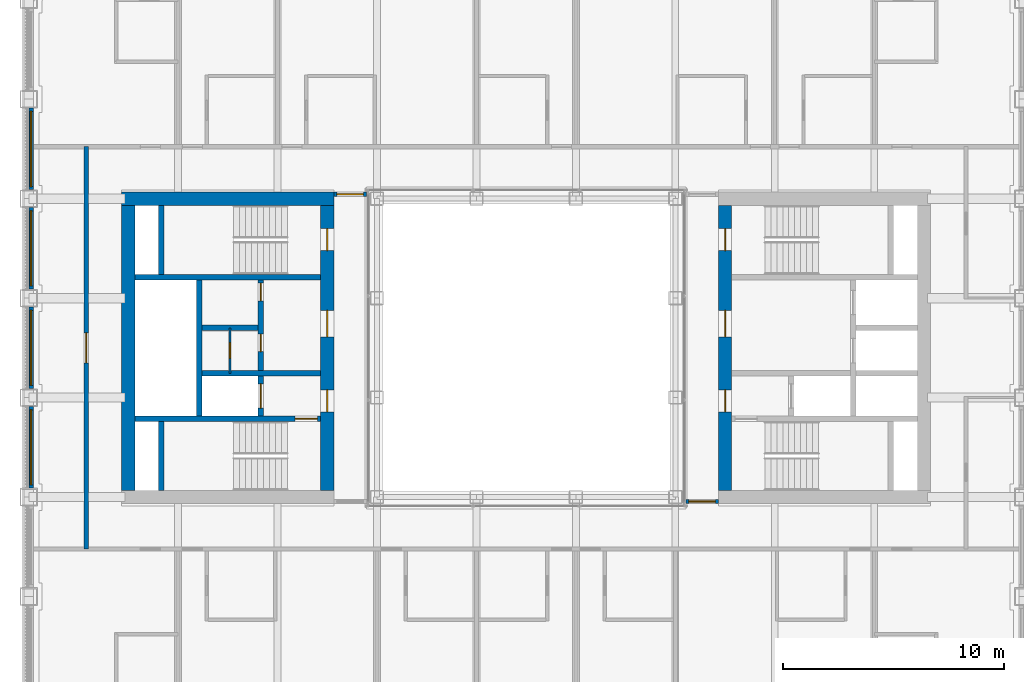
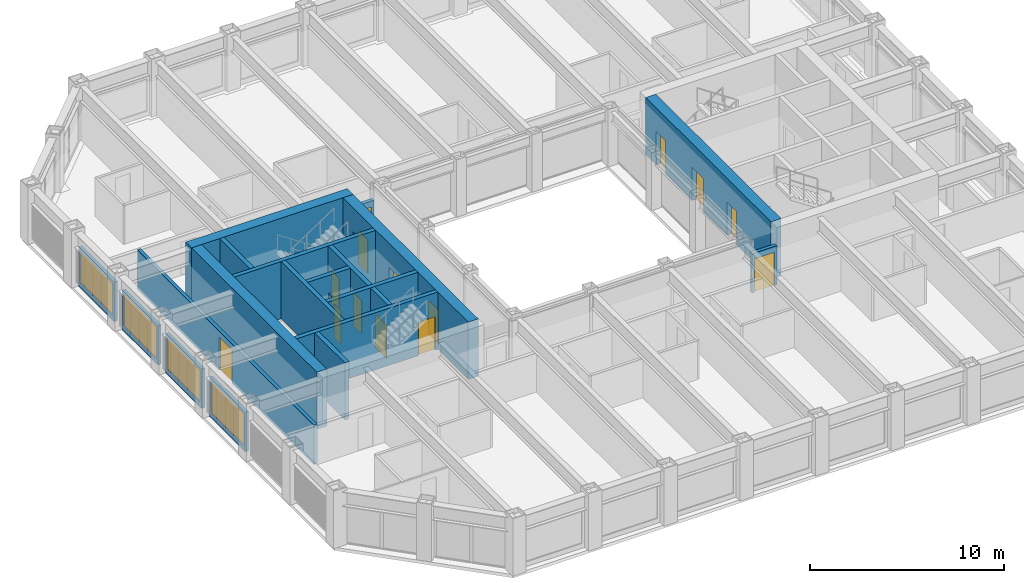
# One storey, part 11 of 17: 20 walls, 14 doors, 4 windows, 18 openings.
"""IFC4 building model written with IfcOpenShell, lengths in metres."""

from ifc_helpers import new_model, si_unit, direction, frame, frame_2d, origin, place, context, subcontext, project, spatial, rectangle, extrude, material, layer, layer_set, type_object, element, fill, save


model = new_model("IFC4")

# Units and contexts
model_context = context("Model", 3, precision=1e-05, world=origin(), true_north=direction((0.0, 1.0)))
body_context = subcontext(model_context, "Body", "Model", "MODEL_VIEW")
ifc_project = project(units=[si_unit("LENGTHUNIT", "METRE"), si_unit("AREAUNIT", "SQUARE_METRE"), si_unit("VOLUMEUNIT", "CUBIC_METRE"), si_unit("PLANEANGLEUNIT", "RADIAN"), si_unit("MASSUNIT", "GRAM", prefix="KILO")], contexts=[model_context])

# Site, building, storey
site_placement = place(None, origin())
site = spatial("IfcSite", under=ifc_project, at=site_placement, CompositionType="ELEMENT")
building_placement = place(site_placement, origin())
building = spatial("IfcBuilding", under=site, at=building_placement, Name="Msasa Ring Tower", CompositionType="ELEMENT")
storey_placement = place(building_placement, frame((0.0, 0.0, 154.39990234375)))
storey = spatial("IfcBuildingStorey", under=building, at=storey_placement, Name="L40", CompositionType="ELEMENT", Elevation=154.39990234375)

# Wall, openings, doors
ifc_material_1 = material(Name="Concrete C60/75", Category="concrete")
ifc_layer_1 = layer(ifc_material_1, 0.60009765625)
ifc_layer_set_1 = layer_set([ifc_layer_1], Name="CW2 CORE WALL 600")
wall_type_1 = type_object("IfcWallType", Name="CW2 CORE WALL 600", PredefinedType="SHEAR", material=ifc_layer_set_1)
wall_1_placement = place(storey_placement, frame((9.0, -6.449951171875, 0.0), z_axis=(0.0, 0.0, 1.0), x_axis=(0.0, 1.0, 0.0)))
wall_1 = element("IfcWall", 1, at=wall_1_placement, inside=storey, type_object=wall_type_1, Name="E core wall W L40", PredefinedType="SHEAR", context=body_context, shape_type="SweptSolid", body=[
    extrude(rectangle(XDim=12.89990234375, YDim=0.60009765625, at=frame_2d((6.449951171875, 0.0))), origin(), (0.0, 0.0, 1.0), 3.60009765625),
])
opening_1_placement = place(wall_1_placement, frame((3.550048828125, 0.0, 0.0)))
opening_1 = element("IfcOpeningElement", 2, at=opening_1_placement, cuts=wall_1, Name="Opening HD-027", PredefinedType="OPENING", context=body_context, shape_type="SweptSolid", body=[
    extrude(rectangle(XDim=1.0, YDim=2.10009765625, at=frame_2d((0.5, 1.050048828125))), frame((0.0, 0.31005859375, 0.0), z_axis=(0.0, -1.0, 0.0), x_axis=(1.0, 0.0, 0.0)), (0.0, 0.0, 1.0), 0.6201171875),
])
opening_2_placement = place(wall_1_placement, frame((6.949951171875, 0.0, 0.0)))
opening_2 = element("IfcOpeningElement", 3, at=opening_2_placement, cuts=wall_1, Name="Opening HD-022", PredefinedType="OPENING", context=body_context, shape_type="SweptSolid", body=[
    extrude(rectangle(XDim=1.199951171875, YDim=2.10009765625, at=frame_2d((0.60009765625, 1.050048828125))), frame((0.0, 0.31005859375, 0.0), z_axis=(0.0, -1.0, 0.0), x_axis=(1.0, 0.0, 0.0)), (0.0, 0.0, 1.0), 0.6201171875),
])
opening_3_placement = place(wall_1_placement, frame((10.85009765625, 0.0, 0.0)))
opening_3 = element("IfcOpeningElement", 4, at=opening_3_placement, cuts=wall_1, Name="Opening HD-019", PredefinedType="OPENING", context=body_context, shape_type="SweptSolid", body=[
    extrude(rectangle(XDim=1.0, YDim=2.10009765625, at=frame_2d((0.5, 1.050048828125))), frame((0.0, 0.31005859375, 0.0), z_axis=(0.0, -1.0, 0.0), x_axis=(1.0, 0.0, 0.0)), (0.0, 0.0, 1.0), 0.6201171875),
])
ifc_material_2 = material(Name="Timber door leaf in a steel frame", Category="steel")
door_type_1 = type_object("IfcDoorType", Name="D4 LOBBY DOOR 1000x2100", OperationType="SINGLE_SWING_LEFT", PredefinedType="DOOR", material=ifc_material_2)
door_1_placement = place(opening_1_placement, origin())
door_1 = element("IfcDoor", 5, at=door_1_placement, inside=storey, type_object=door_type_1, Name="Door L40-EFFL", OperationType="SINGLE_SWING_LEFT", OverallHeight=2.10009765625, OverallWidth=1.0, PredefinedType="DOOR", context=body_context, shape_type="SweptSolid", body=[
    extrude(rectangle(XDim=1.0, YDim=2.10009765625, at=frame_2d((0.5, 1.050048828125))), frame((0.0, 0.02490234375, 0.0), z_axis=(0.0, -1.0, 0.0), x_axis=(1.0, 0.0, 0.0)), (0.0, 0.0, 1.0), 0.050048828125),
])
fill(opening_1, door_1)
ifc_material_3 = material(Name="Timber door leaf in a steel frame", Category="steel")
door_type_2 = type_object("IfcDoorType", Name="D5 WIDE LOBBY DOOR 1200x2100", OperationType="SINGLE_SWING_LEFT", PredefinedType="DOOR", material=ifc_material_3)
door_2_placement = place(opening_2_placement, origin())
door_2 = element("IfcDoor", 6, at=door_2_placement, inside=storey, type_object=door_type_2, Name="Door L40-ELL", OperationType="SINGLE_SWING_RIGHT", OverallHeight=2.10009765625, OverallWidth=1.199951171875, PredefinedType="DOOR", context=body_context, shape_type="SweptSolid", body=[
    extrude(rectangle(XDim=1.199951171875, YDim=2.10009765625, at=frame_2d((0.60009765625, 1.050048828125))), frame((0.0, 0.02490234375, 0.0), z_axis=(0.0, -1.0, 0.0), x_axis=(1.0, 0.0, 0.0)), (0.0, 0.0, 1.0), 0.050048828125),
])
fill(opening_2, door_2)
ifc_material_4 = material(Name="Timber door leaf in a steel frame", Category="steel")
door_type_3 = type_object("IfcDoorType", Name="D6 STAIR DOOR 1000x2100", OperationType="SINGLE_SWING_LEFT", PredefinedType="DOOR", material=ifc_material_4)
door_3_placement = place(opening_3_placement, origin())
door_3 = element("IfcDoor", 7, at=door_3_placement, inside=storey, type_object=door_type_3, Name="Door L40-ESTB", OperationType="SINGLE_SWING_RIGHT", OverallHeight=2.10009765625, OverallWidth=1.0, PredefinedType="DOOR", context=body_context, shape_type="SweptSolid", body=[
    extrude(rectangle(XDim=1.0, YDim=2.10009765625, at=frame_2d((0.5, 1.050048828125))), frame((0.0, 0.02490234375, 0.0), z_axis=(0.0, -1.0, 0.0), x_axis=(1.0, 0.0, 0.0)), (0.0, 0.0, 1.0), 0.050048828125),
])
fill(opening_3, door_3)

# Wall
wall_2_placement = place(storey_placement, frame((-8.699951171875, 6.75, 0.0), z_axis=(0.0, 0.0, 1.0), x_axis=(-1.0, 0.0, 0.0)))
element("IfcWall", 8, at=wall_2_placement, inside=storey, type_object=wall_type_1, Name="W core wall N L40", PredefinedType="SHEAR", context=body_context, shape_type="SweptSolid", body=[
    extrude(rectangle(XDim=9.60009765625, YDim=0.60009765625, at=frame_2d((4.800048828125, 0.0))), origin(), (0.0, 0.0, 1.0), 3.60009765625),
])

# Wall, openings, doors
wall_3_placement = place(storey_placement, frame((-9.0, -6.449951171875, 0.0), z_axis=(0.0, 0.0, 1.0), x_axis=(0.0, 1.0, 0.0)))
wall_3 = element("IfcWall", 9, at=wall_3_placement, inside=storey, type_object=wall_type_1, Name="W core wall W L40", PredefinedType="SHEAR", context=body_context, shape_type="SweptSolid", body=[
    extrude(rectangle(XDim=12.89990234375, YDim=0.60009765625, at=frame_2d((6.449951171875, 0.0))), origin(), (0.0, 0.0, 1.0), 3.60009765625),
])
opening_4_placement = place(wall_3_placement, frame((3.550048828125, 0.0, 0.0)))
opening_4 = element("IfcOpeningElement", 10, at=opening_4_placement, cuts=wall_3, Name="Opening HD-026", PredefinedType="OPENING", context=body_context, shape_type="SweptSolid", body=[
    extrude(rectangle(XDim=1.0, YDim=2.10009765625, at=frame_2d((0.5, 1.050048828125))), frame((0.0, 0.31005859375, 0.0), z_axis=(0.0, -1.0, 0.0), x_axis=(1.0, 0.0, 0.0)), (0.0, 0.0, 1.0), 0.6201171875),
])
opening_5_placement = place(wall_3_placement, frame((6.949951171875, 0.0, 0.0)))
opening_5 = element("IfcOpeningElement", 11, at=opening_5_placement, cuts=wall_3, Name="Opening HD-021", PredefinedType="OPENING", context=body_context, shape_type="SweptSolid", body=[
    extrude(rectangle(XDim=1.199951171875, YDim=2.10009765625, at=frame_2d((0.60009765625, 1.050048828125))), frame((0.0, 0.31005859375, 0.0), z_axis=(0.0, -1.0, 0.0), x_axis=(1.0, 0.0, 0.0)), (0.0, 0.0, 1.0), 0.6201171875),
])
opening_6_placement = place(wall_3_placement, frame((10.85009765625, 0.0, 0.0)))
opening_6 = element("IfcOpeningElement", 12, at=opening_6_placement, cuts=wall_3, Name="Opening HD-018", PredefinedType="OPENING", context=body_context, shape_type="SweptSolid", body=[
    extrude(rectangle(XDim=1.0, YDim=2.10009765625, at=frame_2d((0.5, 1.050048828125))), frame((0.0, 0.31005859375, 0.0), z_axis=(0.0, -1.0, 0.0), x_axis=(1.0, 0.0, 0.0)), (0.0, 0.0, 1.0), 0.6201171875),
])
ifc_material_5 = material(Name="Timber door leaf in a steel frame", Category="steel")
door_type_4 = type_object("IfcDoorType", Name="D26 WIDE SERVICE ROOM DOOR 1200x2100", OperationType="SINGLE_SWING_LEFT", PredefinedType="DOOR", material=ifc_material_5)
door_4_placement = place(opening_5_placement, origin())
door_4 = element("IfcDoor", 13, at=door_4_placement, inside=storey, type_object=door_type_4, Name="Door L40-WCR", OperationType="SINGLE_SWING_RIGHT", OverallHeight=2.10009765625, OverallWidth=1.199951171875, PredefinedType="DOOR", context=body_context, shape_type="SweptSolid", body=[
    extrude(rectangle(XDim=1.199951171875, YDim=2.10009765625, at=frame_2d((0.60009765625, 1.050048828125))), frame((0.0, 0.02490234375, 0.0), z_axis=(0.0, -1.0, 0.0), x_axis=(1.0, 0.0, 0.0)), (0.0, 0.0, 1.0), 0.050048828125),
])
fill(opening_5, door_4)
door_5_placement = place(opening_4_placement, origin())
door_5 = element("IfcDoor", 14, at=door_5_placement, inside=storey, type_object=door_type_1, Name="Door L40-WFFL", OperationType="SINGLE_SWING_LEFT", OverallHeight=2.10009765625, OverallWidth=1.0, PredefinedType="DOOR", context=body_context, shape_type="SweptSolid", body=[
    extrude(rectangle(XDim=1.0, YDim=2.10009765625, at=frame_2d((0.5, 1.050048828125))), frame((0.0, 0.02490234375, 0.0), z_axis=(0.0, -1.0, 0.0), x_axis=(1.0, 0.0, 0.0)), (0.0, 0.0, 1.0), 0.050048828125),
])
fill(opening_4, door_5)
door_6_placement = place(opening_6_placement, origin())
door_6 = element("IfcDoor", 15, at=door_6_placement, inside=storey, type_object=door_type_3, Name="Door L40-WSTB", OperationType="SINGLE_SWING_RIGHT", OverallHeight=2.10009765625, OverallWidth=1.0, PredefinedType="DOOR", context=body_context, shape_type="SweptSolid", body=[
    extrude(rectangle(XDim=1.0, YDim=2.10009765625, at=frame_2d((0.5, 1.050048828125))), frame((0.0, 0.02490234375, 0.0), z_axis=(0.0, -1.0, 0.0), x_axis=(1.0, 0.0, 0.0)), (0.0, 0.0, 1.0), 0.050048828125),
])
fill(opening_6, door_6)

# Wall
wall_4_placement = place(storey_placement, frame((-18.0, -6.449951171875, 0.0), z_axis=(0.0, 0.0, 1.0), x_axis=(0.0, 1.0, 0.0)))
element("IfcWall", 16, at=wall_4_placement, inside=storey, type_object=wall_type_1, Name="W core wall E L40", PredefinedType="SHEAR", context=body_context, shape_type="SweptSolid", body=[
    extrude(rectangle(XDim=12.89990234375, YDim=0.60009765625, at=frame_2d((6.449951171875, 0.0))), origin(), (0.0, 0.0, 1.0), 3.60009765625),
])

# Wall, opening, door
ifc_material_6 = material(Name="Concrete C60/75", Category="concrete")
ifc_layer_2 = layer(ifc_material_6, 0.25)
ifc_layer_set_2 = layer_set([ifc_layer_2], Name="CW4 CORE INNER WALL 250")
wall_type_2 = type_object("IfcWallType", Name="CW4 CORE INNER WALL 250", PredefinedType="SHEAR", material=ifc_layer_set_2)
wall_5_placement = place(storey_placement, frame((-9.300048828125, -3.199951171875, 0.0), z_axis=(0.0, 0.0, 1.0), x_axis=(-1.0, 0.0, 0.0)))
wall_5 = element("IfcWall", 17, at=wall_5_placement, inside=storey, type_object=wall_type_2, Name="W core wall STAIRA L40", PredefinedType="SHEAR", context=body_context, shape_type="SweptSolid", body=[
    extrude(rectangle(XDim=8.39990234375, YDim=0.25, at=frame_2d((4.199951171875, 0.0))), origin(), (0.0, 0.0, 1.0), 3.60009765625),
])
opening_7_placement = place(wall_5_placement, frame((0.14990234375, 0.0, 0.0)))
opening_7 = element("IfcOpeningElement", 18, at=opening_7_placement, cuts=wall_5, Name="Opening HD-028", PredefinedType="OPENING", context=body_context, shape_type="SweptSolid", body=[
    extrude(rectangle(XDim=1.0, YDim=2.10009765625, at=frame_2d((0.5, 1.050048828125))), frame((0.0, 0.135009765625, 0.0), z_axis=(0.0, -1.0, 0.0), x_axis=(1.0, 0.0, 0.0)), (0.0, 0.0, 1.0), 0.27001953125),
])
door_7_placement = place(opening_7_placement, origin())
door_7 = element("IfcDoor", 19, at=door_7_placement, inside=storey, type_object=door_type_3, Name="Door L40-WSTA", OperationType="SINGLE_SWING_LEFT", OverallHeight=2.10009765625, OverallWidth=1.0, PredefinedType="DOOR", context=body_context, shape_type="SweptSolid", body=[
    extrude(rectangle(XDim=1.0, YDim=2.10009765625, at=frame_2d((0.5, 1.050048828125))), frame((0.0, 0.02490234375, 0.0), z_axis=(0.0, -1.0, 0.0), x_axis=(1.0, 0.0, 0.0)), (0.0, 0.0, 1.0), 0.050048828125),
])
fill(opening_7, door_7)

# Walls
wall_6_placement = place(storey_placement, frame((-9.300048828125, 3.199951171875, 0.0), z_axis=(0.0, 0.0, 1.0), x_axis=(-1.0, 0.0, 0.0)))
element("IfcWall", 20, at=wall_6_placement, inside=storey, type_object=wall_type_2, Name="W core wall STAIRB L40", PredefinedType="SHEAR", context=body_context, shape_type="SweptSolid", body=[
    extrude(rectangle(XDim=8.39990234375, YDim=0.25, at=frame_2d((4.199951171875, 0.0))), origin(), (0.0, 0.0, 1.0), 3.60009765625),
])
for number, where, z_axis, x_axis, name in (
    (21, (-16.5, -6.449951171875, 0.0), (0.0, 0.0, 1.0), (0.0, 1.0, 0.0), "W core wall RISERA L40"),
    (22, (-16.5, 3.324951171875, 0.0), (0.0, 0.0, 1.0), (0.0, 1.0, 0.0), "W core wall RISERB L40"),
):
    element("IfcWall", number, at=place(storey_placement, frame(where, z_axis=z_axis, x_axis=x_axis)), inside=storey, type_object=wall_type_2, Name=name, PredefinedType="SHEAR", context=body_context, shape_type="SweptSolid", body=[
        extrude(rectangle(XDim=3.125, YDim=0.25, at=frame_2d((1.5625, 0.0))), origin(), (0.0, 0.0, 1.0), 3.60009765625),
    ])
wall_7_placement = place(storey_placement, frame((-9.300048828125, -1.14990234375, 0.0), z_axis=(0.0, 0.0, 1.0), x_axis=(-1.0, 0.0, 0.0)))
element("IfcWall", 23, at=wall_7_placement, inside=storey, type_object=wall_type_2, Name="W core wall FFL L40", PredefinedType="SHEAR", context=body_context, shape_type="SweptSolid", body=[
    extrude(rectangle(XDim=5.375, YDim=0.25, at=frame_2d((2.6875, 0.0))), origin(), (0.0, 0.0, 1.0), 3.60009765625),
])

# Wall, openings, doors
wall_8_placement = place(storey_placement, frame((-12.0, -3.074951171875, 0.0), z_axis=(0.0, 0.0, 1.0), x_axis=(0.0, 1.0, 0.0)))
wall_8 = element("IfcWall", 24, at=wall_8_placement, inside=storey, type_object=wall_type_2, Name="W core wall LOBBY L40", PredefinedType="SHEAR", context=body_context, shape_type="SweptSolid", body=[
    extrude(rectangle(XDim=6.14990234375, YDim=0.25, at=frame_2d((3.074951171875, 0.0))), origin(), (0.0, 0.0, 1.0), 3.60009765625),
])
opening_8_placement = place(wall_8_placement, frame((2.89990234375, 0.0, 0.0)))
opening_8 = element("IfcOpeningElement", 25, at=opening_8_placement, cuts=wall_8, Name="Opening HD-023", PredefinedType="OPENING", context=body_context, shape_type="SweptSolid", body=[
    extrude(rectangle(XDim=0.800048828125, YDim=2.10009765625, at=frame_2d((0.39990234375, 1.050048828125))), frame((0.0, 0.135009765625, 0.0), z_axis=(0.0, -1.0, 0.0), x_axis=(1.0, 0.0, 0.0)), (0.0, 0.0, 1.0), 0.27001953125),
])
opening_9_placement = place(wall_8_placement, frame((5.199951171875, 0.0, 0.0)))
opening_9 = element("IfcOpeningElement", 26, at=opening_9_placement, cuts=wall_8, Name="Opening HD-020", PredefinedType="OPENING", context=body_context, shape_type="SweptSolid", body=[
    extrude(rectangle(XDim=0.800048828125, YDim=2.10009765625, at=frame_2d((0.39990234375, 1.050048828125))), frame((0.0, 0.135009765625, 0.0), z_axis=(0.0, -1.0, 0.0), x_axis=(1.0, 0.0, 0.0)), (0.0, 0.0, 1.0), 0.27001953125),
])
opening_10_placement = place(wall_8_placement, frame((0.35009765625, 0.0, 0.0)))
opening_10 = element("IfcOpeningElement", 27, at=opening_10_placement, cuts=wall_8, Name="Opening LD1", PredefinedType="OPENING", context=body_context, shape_type="SweptSolid", body=[
    extrude(rectangle(XDim=1.10009765625, YDim=2.10009765625, at=frame_2d((0.550048828125, 1.050048828125))), frame((0.0, 0.135009765625, 0.0), z_axis=(0.0, -1.0, 0.0), x_axis=(1.0, 0.0, 0.0)), (0.0, 0.0, 1.0), 0.27001953125),
])
ifc_material_7 = material(Name="Timber door leaf in a steel frame", Category="steel")
door_type_5 = type_object("IfcDoorType", Name="D9 NARROW SERVICE DOOR 800x2100", OperationType="SINGLE_SWING_LEFT", PredefinedType="DOOR", material=ifc_material_7)
door_8_placement = place(opening_8_placement, origin())
door_8 = element("IfcDoor", 28, at=door_8_placement, inside=storey, type_object=door_type_5, Name="Door L40-WR1", OperationType="SINGLE_SWING_RIGHT", OverallHeight=2.10009765625, OverallWidth=0.800048828125, PredefinedType="DOOR", context=body_context, shape_type="SweptSolid", body=[
    extrude(rectangle(XDim=0.800048828125, YDim=2.10009765625, at=frame_2d((0.39990234375, 1.050048828125))), frame((0.0, 0.02490234375, 0.0), z_axis=(0.0, -1.0, 0.0), x_axis=(1.0, 0.0, 0.0)), (0.0, 0.0, 1.0), 0.050048828125),
])
fill(opening_8, door_8)
door_9_placement = place(opening_9_placement, origin())
door_9 = element("IfcDoor", 29, at=door_9_placement, inside=storey, type_object=door_type_5, Name="Door L40-WR2", OperationType="SINGLE_SWING_RIGHT", OverallHeight=2.10009765625, OverallWidth=0.800048828125, PredefinedType="DOOR", context=body_context, shape_type="SweptSolid", body=[
    extrude(rectangle(XDim=0.800048828125, YDim=2.10009765625, at=frame_2d((0.39990234375, 1.050048828125))), frame((0.0, 0.02490234375, 0.0), z_axis=(0.0, -1.0, 0.0), x_axis=(1.0, 0.0, 0.0)), (0.0, 0.0, 1.0), 0.050048828125),
])
fill(opening_9, door_9)
ifc_material_8 = material(Name="Stainless steel lift landing door", Category="steel")
door_type_6 = type_object("IfcDoorType", Name="LD1 LIFT LANDING DOOR 1100x2100", OperationType="DOUBLE_DOOR_SLIDING", PredefinedType="DOOR", material=ifc_material_8)
door_10_placement = place(opening_10_placement, origin())
door_10 = element("IfcDoor", 30, at=door_10_placement, inside=storey, type_object=door_type_6, Name="Lift landing door FL-W L40", OperationType="DOUBLE_DOOR_SLIDING", OverallHeight=2.10009765625, OverallWidth=1.10009765625, PredefinedType="DOOR", context=body_context, shape_type="SweptSolid", body=[
    extrude(rectangle(XDim=1.10009765625, YDim=2.10009765625, at=frame_2d((0.550048828125, 1.050048828125))), frame((0.0, 0.02490234375, 0.0), z_axis=(0.0, -1.0, 0.0), x_axis=(1.0, 0.0, 0.0)), (0.0, 0.0, 1.0), 0.050048828125),
])
fill(opening_10, door_10)

# Walls
wall_9_placement = place(storey_placement, frame((-14.800048828125, -3.074951171875, 0.0), z_axis=(0.0, 0.0, 1.0), x_axis=(0.0, 1.0, 0.0)))
element("IfcWall", 31, at=wall_9_placement, inside=storey, type_object=wall_type_2, Name="W core wall SHAFT L40", PredefinedType="SHEAR", context=body_context, shape_type="SweptSolid", body=[
    extrude(rectangle(XDim=6.14990234375, YDim=0.25, at=frame_2d((3.074951171875, 0.0))), origin(), (0.0, 0.0, 1.0), 3.60009765625),
])
wall_10_placement = place(storey_placement, frame((-12.125, 0.89990234375, 0.0), z_axis=(0.0, 0.0, 1.0), x_axis=(-1.0, 0.0, 0.0)))
element("IfcWall", 32, at=wall_10_placement, inside=storey, type_object=wall_type_2, Name="W core wall LIFT1 L40", PredefinedType="SHEAR", context=body_context, shape_type="SweptSolid", body=[
    extrude(rectangle(XDim=2.550048828125, YDim=0.25, at=frame_2d((1.27490234375, 0.0))), origin(), (0.0, 0.0, 1.0), 3.60009765625),
])

# Wall, opening, window
ifc_material_9 = material(Name="Terracotta rainscreen on blockwork", Category="masonry")
ifc_layer_3 = layer(ifc_material_9, 0.199951171875)
ifc_layer_set_3 = layer_set([ifc_layer_3], Name="FW1 TERRACOTTA-LINED INFILL BAY WALL 200")
wall_type_3 = type_object("IfcWallType", Name="FW1 TERRACOTTA-LINED INFILL BAY WALL 200", PredefinedType="SOLIDWALL", material=ifc_layer_set_3)
wall_11_placement = place(storey_placement, frame((-22.39990234375, -6.344970703125, 0.0), z_axis=(0.0, 0.0, 1.0), x_axis=(0.0, 1.0, 0.0)))
wall_11 = element("IfcWall", 33, at=wall_11_placement, inside=storey, type_object=wall_type_3, Name="Infill bay wall W L40 29", PredefinedType="SOLIDWALL", context=body_context, shape_type="SweptSolid", body=[
    extrude(rectangle(XDim=3.68994140625, YDim=0.199951171875, at=frame_2d((1.844970703125, 0.0))), origin(), (0.0, 0.0, 1.0), 2.47900390625),
])
opening_11_placement = place(wall_11_placement, frame((0.14501953125, 0.0, 0.300048828125)))
opening_11 = element("IfcOpeningElement", 34, at=opening_11_placement, cuts=wall_11, Name="Opening WN2", PredefinedType="OPENING", context=body_context, shape_type="SweptSolid", body=[
    extrude(rectangle(XDim=3.39990234375, YDim=2.029052734375, at=frame_2d((1.699951171875, 1.0146484375))), frame((0.0, 0.10986328125, 0.0), z_axis=(0.0, -1.0, 0.0), x_axis=(1.0, 0.0, 0.0)), (0.0, 0.0, 1.0), 0.219970703125),
])
ifc_material_10 = material(Name="Aluminium frame with clear glass", Category="aluminium")
window_type = type_object("IfcWindowType", Name="WN2 GUEST ROOM WINDOW 3400x2029", PartitioningType="SINGLE_PANEL", PredefinedType="WINDOW", material=ifc_material_10)
window_1_placement = place(opening_11_placement, origin())
window_1 = element("IfcWindow", 35, at=window_1_placement, inside=storey, type_object=window_type, Name="Window W L40 29", OverallHeight=2.029052734375, OverallWidth=3.39990234375, PartitioningType="SINGLE_PANEL", PredefinedType="WINDOW", context=body_context, shape_type="SweptSolid", body=[
    extrude(rectangle(XDim=3.39990234375, YDim=2.029052734375, at=frame_2d((1.699951171875, 1.0146484375))), frame((0.0, 0.030029296875, 0.0), z_axis=(0.0, -1.0, 0.0), x_axis=(1.0, 0.0, 0.0)), (0.0, 0.0, 1.0), 0.06005859375),
])
fill(opening_11, window_1)

wall_12_placement = place(storey_placement, frame((-22.39990234375, -1.844970703125, 0.0), z_axis=(0.0, 0.0, 1.0), x_axis=(0.0, 1.0, 0.0)))
wall_12 = element("IfcWall", 36, at=wall_12_placement, inside=storey, type_object=wall_type_3, Name="Infill bay wall W L40 30", PredefinedType="SOLIDWALL", context=body_context, shape_type="SweptSolid", body=[
    extrude(rectangle(XDim=3.68994140625, YDim=0.199951171875, at=frame_2d((1.844970703125, 0.0))), origin(), (0.0, 0.0, 1.0), 2.47900390625),
])
opening_12_placement = place(wall_12_placement, frame((0.14501953125, 0.0, 0.300048828125)))
opening_12 = element("IfcOpeningElement", 37, at=opening_12_placement, cuts=wall_12, Name="Opening WN2", PredefinedType="OPENING", context=body_context, shape_type="SweptSolid", body=[
    extrude(rectangle(XDim=3.39990234375, YDim=2.029052734375, at=frame_2d((1.699951171875, 1.0146484375))), frame((0.0, 0.10986328125, 0.0), z_axis=(0.0, -1.0, 0.0), x_axis=(1.0, 0.0, 0.0)), (0.0, 0.0, 1.0), 0.219970703125),
])
window_2_placement = place(opening_12_placement, origin())
window_2 = element("IfcWindow", 38, at=window_2_placement, inside=storey, type_object=window_type, Name="Window W L40 30", OverallHeight=2.029052734375, OverallWidth=3.39990234375, PartitioningType="SINGLE_PANEL", PredefinedType="WINDOW", context=body_context, shape_type="SweptSolid", body=[
    extrude(rectangle(XDim=3.39990234375, YDim=2.029052734375, at=frame_2d((1.699951171875, 1.0146484375))), frame((0.0, 0.030029296875, 0.0), z_axis=(0.0, -1.0, 0.0), x_axis=(1.0, 0.0, 0.0)), (0.0, 0.0, 1.0), 0.06005859375),
])
fill(opening_12, window_2)

wall_13_placement = place(storey_placement, frame((-22.39990234375, 2.655029296875, 0.0), z_axis=(0.0, 0.0, 1.0), x_axis=(0.0, 1.0, 0.0)))
wall_13 = element("IfcWall", 39, at=wall_13_placement, inside=storey, type_object=wall_type_3, Name="Infill bay wall W L40 31", PredefinedType="SOLIDWALL", context=body_context, shape_type="SweptSolid", body=[
    extrude(rectangle(XDim=3.68994140625, YDim=0.199951171875, at=frame_2d((1.844970703125, 0.0))), origin(), (0.0, 0.0, 1.0), 2.47900390625),
])
opening_13_placement = place(wall_13_placement, frame((0.14501953125, 0.0, 0.300048828125)))
opening_13 = element("IfcOpeningElement", 40, at=opening_13_placement, cuts=wall_13, Name="Opening WN2", PredefinedType="OPENING", context=body_context, shape_type="SweptSolid", body=[
    extrude(rectangle(XDim=3.39990234375, YDim=2.029052734375, at=frame_2d((1.699951171875, 1.0146484375))), frame((0.0, 0.10986328125, 0.0), z_axis=(0.0, -1.0, 0.0), x_axis=(1.0, 0.0, 0.0)), (0.0, 0.0, 1.0), 0.219970703125),
])
window_3_placement = place(opening_13_placement, origin())
window_3 = element("IfcWindow", 41, at=window_3_placement, inside=storey, type_object=window_type, Name="Window W L40 31", OverallHeight=2.029052734375, OverallWidth=3.39990234375, PartitioningType="SINGLE_PANEL", PredefinedType="WINDOW", context=body_context, shape_type="SweptSolid", body=[
    extrude(rectangle(XDim=3.39990234375, YDim=2.029052734375, at=frame_2d((1.699951171875, 1.0146484375))), frame((0.0, 0.030029296875, 0.0), z_axis=(0.0, -1.0, 0.0), x_axis=(1.0, 0.0, 0.0)), (0.0, 0.0, 1.0), 0.06005859375),
])
fill(opening_13, window_3)

wall_14_placement = place(storey_placement, frame((-22.39990234375, 7.155029296875, 0.0), z_axis=(0.0, 0.0, 1.0), x_axis=(0.0, 1.0, 0.0)))
wall_14 = element("IfcWall", 42, at=wall_14_placement, inside=storey, type_object=wall_type_3, Name="Infill bay wall W L40 32", PredefinedType="SOLIDWALL", context=body_context, shape_type="SweptSolid", body=[
    extrude(rectangle(XDim=3.68994140625, YDim=0.199951171875, at=frame_2d((1.844970703125, 0.0))), origin(), (0.0, 0.0, 1.0), 2.47900390625),
])
opening_14_placement = place(wall_14_placement, frame((0.14501953125, 0.0, 0.300048828125)))
opening_14 = element("IfcOpeningElement", 43, at=opening_14_placement, cuts=wall_14, Name="Opening WN2", PredefinedType="OPENING", context=body_context, shape_type="SweptSolid", body=[
    extrude(rectangle(XDim=3.39990234375, YDim=2.029052734375, at=frame_2d((1.699951171875, 1.0146484375))), frame((0.0, 0.10986328125, 0.0), z_axis=(0.0, -1.0, 0.0), x_axis=(1.0, 0.0, 0.0)), (0.0, 0.0, 1.0), 0.219970703125),
])
window_4_placement = place(opening_14_placement, origin())
window_4 = element("IfcWindow", 44, at=window_4_placement, inside=storey, type_object=window_type, Name="Window W L40 32", OverallHeight=2.029052734375, OverallWidth=3.39990234375, PartitioningType="SINGLE_PANEL", PredefinedType="WINDOW", context=body_context, shape_type="SweptSolid", body=[
    extrude(rectangle(XDim=3.39990234375, YDim=2.029052734375, at=frame_2d((1.699951171875, 1.0146484375))), frame((0.0, 0.030029296875, 0.0), z_axis=(0.0, -1.0, 0.0), x_axis=(1.0, 0.0, 0.0)), (0.0, 0.0, 1.0), 0.06005859375),
])
fill(opening_14, window_4)

# Wall, opening, door
ifc_material_11 = material(Name="Concrete blockwork", Category="masonry")
ifc_layer_4 = layer(ifc_material_11, 0.199951171875)
ifc_layer_set_4 = layer_set([ifc_layer_4], Name="PT1 CORRIDOR WALL 200")
wall_type_4 = type_object("IfcWallType", Name="PT1 CORRIDOR WALL 200", PredefinedType="PARTITIONING", material=ifc_layer_set_4)
wall_15_placement = place(storey_placement, frame((7.22998046875, -6.949951171875, 0.0), z_axis=(0.0, 0.0, 1.0), x_axis=(1.0, 0.0, 0.0)))
wall_15 = element("IfcWall", 45, at=wall_15_placement, inside=storey, type_object=wall_type_4, Name="Corridor wall L40-SDES", PredefinedType="PARTITIONING", context=body_context, shape_type="SweptSolid", body=[
    extrude(rectangle(XDim=1.469970703125, YDim=0.199951171875, at=frame_2d((0.73486328125, 0.0))), origin(), (0.0, 0.0, 1.0), 2.473388671875),
])
opening_15_placement = place(wall_15_placement, frame((0.135009765625, 0.0, 0.0)))
opening_15 = element("IfcOpeningElement", 46, at=opening_15_placement, cuts=wall_15, Name="Opening HD-032", PredefinedType="OPENING", context=body_context, shape_type="SweptSolid", body=[
    extrude(rectangle(XDim=1.199951171875, YDim=2.10009765625, at=frame_2d((0.60009765625, 1.050048828125))), frame((0.0, 0.10986328125, 0.0), z_axis=(0.0, -1.0, 0.0), x_axis=(1.0, 0.0, 0.0)), (0.0, 0.0, 1.0), 0.219970703125),
])
ifc_material_12 = material(Name="Timber door leaf in a steel frame", Category="steel")
door_type_7 = type_object("IfcDoorType", Name="D25 CORRIDOR PAIR OF SMOKE DOORS 1200x2100", OperationType="DOUBLE_DOOR_DOUBLE_SWING", PredefinedType="DOOR", material=ifc_material_12)
door_11_placement = place(opening_15_placement, origin())
door_11 = element("IfcDoor", 47, at=door_11_placement, inside=storey, type_object=door_type_7, Name="Door L40-SDES", OperationType="DOUBLE_DOOR_DOUBLE_SWING", OverallHeight=2.10009765625, OverallWidth=1.199951171875, PredefinedType="DOOR", context=body_context, shape_type="SweptSolid", body=[
    extrude(rectangle(XDim=1.199951171875, YDim=2.10009765625, at=frame_2d((0.60009765625, 1.050048828125))), frame((0.0, 0.02490234375, 0.0), z_axis=(0.0, -1.0, 0.0), x_axis=(1.0, 0.0, 0.0)), (0.0, 0.0, 1.0), 0.050048828125),
])
fill(opening_15, door_11)

wall_16_placement = place(storey_placement, frame((-8.699951171875, 6.949951171875, 0.0), z_axis=(0.0, 0.0, 1.0), x_axis=(1.0, 0.0, 0.0)))
wall_16 = element("IfcWall", 48, at=wall_16_placement, inside=storey, type_object=wall_type_4, Name="Corridor wall L40-SDWN", PredefinedType="PARTITIONING", context=body_context, shape_type="SweptSolid", body=[
    extrude(rectangle(XDim=1.469970703125, YDim=0.199951171875, at=frame_2d((0.73486328125, 0.0))), origin(), (0.0, 0.0, 1.0), 2.473388671875),
])
opening_16_placement = place(wall_16_placement, frame((0.135009765625, 0.0, 0.0)))
opening_16 = element("IfcOpeningElement", 49, at=opening_16_placement, cuts=wall_16, Name="Opening HD-015", PredefinedType="OPENING", context=body_context, shape_type="SweptSolid", body=[
    extrude(rectangle(XDim=1.199951171875, YDim=2.10009765625, at=frame_2d((0.60009765625, 1.050048828125))), frame((0.0, 0.10986328125, 0.0), z_axis=(0.0, -1.0, 0.0), x_axis=(1.0, 0.0, 0.0)), (0.0, 0.0, 1.0), 0.219970703125),
])
door_12_placement = place(opening_16_placement, origin())
door_12 = element("IfcDoor", 50, at=door_12_placement, inside=storey, type_object=door_type_7, Name="Door L40-SDWN", OperationType="DOUBLE_DOOR_DOUBLE_SWING", OverallHeight=2.10009765625, OverallWidth=1.199951171875, PredefinedType="DOOR", context=body_context, shape_type="SweptSolid", body=[
    extrude(rectangle(XDim=1.199951171875, YDim=2.10009765625, at=frame_2d((0.60009765625, 1.050048828125))), frame((0.0, 0.02490234375, 0.0), z_axis=(0.0, -1.0, 0.0), x_axis=(1.0, 0.0, 0.0)), (0.0, 0.0, 1.0), 0.050048828125),
])
fill(opening_16, door_12)

wall_17_placement = place(storey_placement, frame((-19.89990234375, -9.10009765625, 0.0), z_axis=(0.0, 0.0, 1.0), x_axis=(0.0, 1.0, 0.0)))
wall_17 = element("IfcWall", 51, at=wall_17_placement, inside=storey, type_object=wall_type_4, Name="Corridor wall L40-STRW", PredefinedType="PARTITIONING", context=body_context, shape_type="SweptSolid", body=[
    extrude(rectangle(XDim=18.2001953125, YDim=0.199951171875, at=frame_2d((9.10009765625, 0.0))), origin(), (0.0, 0.0, 1.0), 2.473388671875),
])
opening_17_placement = place(wall_17_placement, frame((8.425048828125, 0.0, 0.0)))
opening_17 = element("IfcOpeningElement", 52, at=opening_17_placement, cuts=wall_17, Name="Opening HD-024", PredefinedType="OPENING", context=body_context, shape_type="SweptSolid", body=[
    extrude(rectangle(XDim=1.35009765625, YDim=2.10009765625, at=frame_2d((0.675048828125, 1.050048828125))), frame((0.0, 0.10986328125, 0.0), z_axis=(0.0, -1.0, 0.0), x_axis=(1.0, 0.0, 0.0)), (0.0, 0.0, 1.0), 0.219970703125),
])
ifc_material_13 = material(Name="Timber door leaf in a steel frame", Category="steel")
door_type_8 = type_object("IfcDoorType", Name="D23 HOUSEKEEPING UNEQUAL PAIR OF DOORS 1350x2100", OperationType="SINGLE_SWING_LEFT", PredefinedType="DOOR", material=ifc_material_13)
door_13_placement = place(opening_17_placement, origin())
door_13 = element("IfcDoor", 53, at=door_13_placement, inside=storey, type_object=door_type_8, Name="Door L40-HKW", OperationType="SINGLE_SWING_LEFT", OverallHeight=2.10009765625, OverallWidth=1.35009765625, PredefinedType="DOOR", context=body_context, shape_type="SweptSolid", body=[
    extrude(rectangle(XDim=1.35009765625, YDim=2.10009765625, at=frame_2d((0.675048828125, 1.050048828125))), frame((0.0, 0.02490234375, 0.0), z_axis=(0.0, -1.0, 0.0), x_axis=(1.0, 0.0, 0.0)), (0.0, 0.0, 1.0), 0.050048828125),
])
fill(opening_17, door_13)

ifc_material_14 = material(Name="Gypsum board on steel studs", Category="steel")
ifc_layer_5 = layer(ifc_material_14, 0.10009765625)
ifc_layer_set_5 = layer_set([ifc_layer_5], Name="PT2 STUD PARTITION 100")
wall_type_5 = type_object("IfcWallType", Name="PT2 STUD PARTITION 100", PredefinedType="PARTITIONING", material=ifc_layer_set_5)
wall_18_placement = place(storey_placement, frame((-13.39990234375, -1.14990234375, 0.0), z_axis=(0.0, 0.0, 1.0), x_axis=(0.0, 1.0, 0.0)))
wall_18 = element("IfcWall", 54, at=wall_18_placement, inside=storey, type_object=wall_type_5, Name="Partition L40-WRP1", PredefinedType="PARTITIONING", context=body_context, shape_type="SweptSolid", body=[
    extrude(rectangle(XDim=2.0498046875, YDim=0.10009765625, at=frame_2d((1.02490234375, 0.0))), origin(), (0.0, 0.0, 1.0), 2.473388671875),
])
opening_18_placement = place(wall_18_placement, frame((0.675048828125, 0.0, 0.0)))
opening_18 = element("IfcOpeningElement", 55, at=opening_18_placement, cuts=wall_18, Name="Opening HD-025", PredefinedType="OPENING", context=body_context, shape_type="SweptSolid", body=[
    extrude(rectangle(XDim=0.699951171875, YDim=2.10009765625, at=frame_2d((0.35009765625, 1.050048828125))), frame((0.0, 0.06005859375, 0.0), z_axis=(0.0, -1.0, 0.0), x_axis=(1.0, 0.0, 0.0)), (0.0, 0.0, 1.0), 0.1201171875),
])
ifc_material_15 = material(Name="Timber door leaf in a steel frame", Category="steel")
door_type_9 = type_object("IfcDoorType", Name="D32 INTERNAL NARROW STORE DOOR 700x2100", OperationType="SINGLE_SWING_LEFT", PredefinedType="DOOR", material=ifc_material_15)
door_14_placement = place(opening_18_placement, origin())
door_14 = element("IfcDoor", 56, at=door_14_placement, inside=storey, type_object=door_type_9, Name="Door L40-WRC1", OperationType="SINGLE_SWING_LEFT", OverallHeight=2.10009765625, OverallWidth=0.699951171875, PredefinedType="DOOR", context=body_context, shape_type="SweptSolid", body=[
    extrude(rectangle(XDim=0.699951171875, YDim=2.10009765625, at=frame_2d((0.35009765625, 1.050048828125))), frame((0.0, 0.02490234375, 0.0), z_axis=(0.0, -1.0, 0.0), x_axis=(1.0, 0.0, 0.0)), (0.0, 0.0, 1.0), 0.050048828125),
])
fill(opening_18, door_14)

save(model, "model.ifc")
